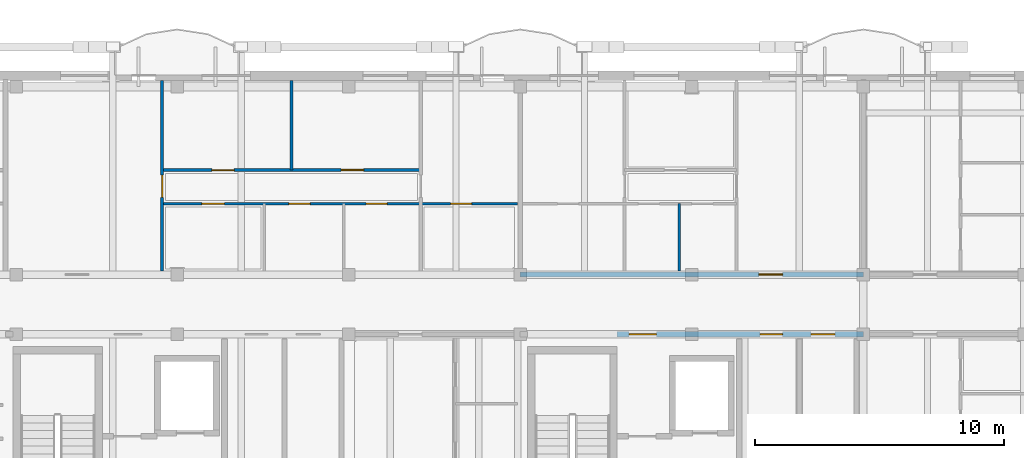
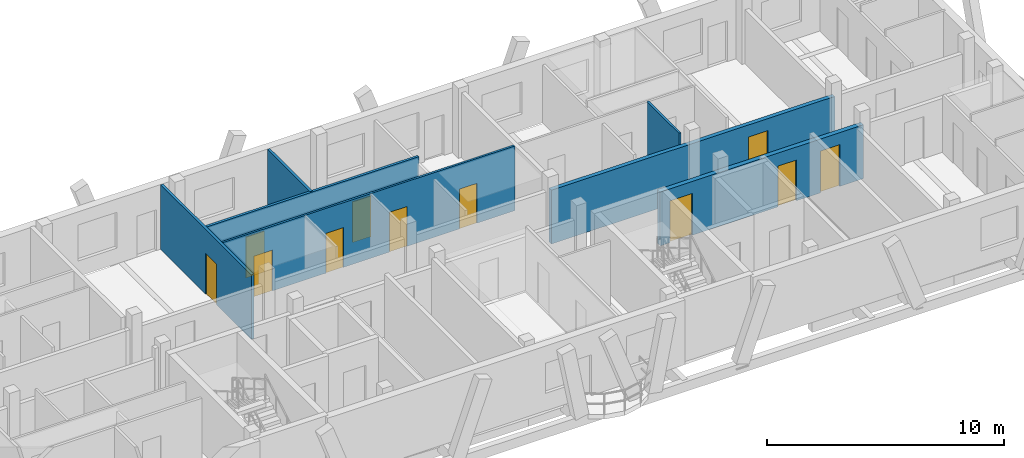
# One storey, part 165 of 189: 11 doors, 7 walls, 11 openings.
"""IFC4 building model written with IfcOpenShell, lengths in metres."""

from ifc_helpers import new_model, si_unit, direction, frame, frame_2d, origin, origin_with_axes, place, context, subcontext, project, spatial, rectangle, extrude, material, layer, layer_set, type_object, element, fill, save


model = new_model("IFC4")

# Units and contexts
model_context = context("Model", 3, precision=1e-05, world=origin(), true_north=direction((0.0, 1.0)))
body_context = subcontext(model_context, "Body", "Model", "MODEL_VIEW")
ifc_project = project(units=[si_unit("LENGTHUNIT", "METRE"), si_unit("AREAUNIT", "SQUARE_METRE"), si_unit("VOLUMEUNIT", "CUBIC_METRE"), si_unit("PLANEANGLEUNIT", "RADIAN"), si_unit("MASSUNIT", "GRAM", prefix="KILO")], contexts=[model_context])

# Site, building, storey
site_placement = place(None, origin())
site = spatial("IfcSite", under=ifc_project, at=site_placement, CompositionType="ELEMENT")
building_placement = place(site_placement, origin())
building = spatial("IfcBuilding", under=site, at=building_placement, Name="Zavelmont Quarter", CompositionType="ELEMENT")
storey_placement = place(building_placement, frame((0.0, 0.0, 4.39990234375)))
storey = spatial("IfcBuildingStorey", under=building, at=storey_placement, Name="L01", CompositionType="ELEMENT", Elevation=4.39990234375)

# Wall, opening, door
ifc_material_1 = material(Name="Calcium-silicate blockwork and acoustic plaster", Category="masonry")
ifc_layer_1 = layer(ifc_material_1, 0.199951171875)
ifc_layer_set_1 = layer_set([ifc_layer_1], Name="Calcium-silicate blockwork and acoustic plaster")
wall_type_1 = type_object("IfcWallType", Name="IW01", PredefinedType="PARTITIONING", material=ifc_layer_set_1)
wall_1_placement = place(storey_placement, frame((147.300048828125, 108.0, 0.0), z_axis=(0.0, 0.0, 1.0), x_axis=(1.0, 0.0, 0.0)))
wall_1 = element("IfcWall", 1, at=wall_1_placement, inside=storey, type_object=wall_type_1, Name="L01 Corridor compartment wall IW01", PredefinedType="PARTITIONING", context=body_context, shape_type="SweptSolid", body=[
    extrude(rectangle(XDim=13.800048828125, YDim=0.199951171875, at=frame_2d((6.89990234375, 0.0))), origin(), (0.0, 0.0, 1.0), 2.77001953125),
])
opening_1_placement = place(wall_1_placement, frame((9.60009765625, 0.0, 0.0)))
opening_1 = element("IfcOpeningElement", 2, at=opening_1_placement, cuts=wall_1, Name="Opening DR02", PredefinedType="OPENING", context=body_context, shape_type="SweptSolid", body=[
    extrude(rectangle(XDim=0.949951171875, YDim=2.14990234375, at=frame_2d((0.47509765625, 1.074951171875))), frame((0.0, 0.11181640625, 0.0), z_axis=(0.0, -1.0, 0.0), x_axis=(1.0, 0.0, 0.0)), (0.0, 0.0, 1.0), 0.223876953125),
])
ifc_material_2 = material(Name="Solid-core oak fire leaf in steel frame", Category="steel")
door_type_1 = type_object("IfcDoorType", Name="DR02", OperationType="NOTDEFINED", PredefinedType="DOOR", material=ifc_material_2)
door_1_placement = place(opening_1_placement, origin_with_axes())
door_1 = element("IfcDoor", 3, at=door_1_placement, inside=storey, type_object=door_type_1, Name="L01 door DR02", OperationType="SINGLE_SWING_RIGHT", OverallHeight=2.14990234375, OverallWidth=0.949951171875, PredefinedType="DOOR", context=body_context, shape_type="SweptSolid", body=[
    extrude(rectangle(XDim=0.949951171875, YDim=2.14990234375, at=frame_2d((0.47509765625, 1.074951171875))), frame((0.0, 0.02490234375, 0.0), z_axis=(0.0, -1.0, 0.0), x_axis=(1.0, 0.0, 0.0)), (0.0, 0.0, 1.0), 0.050048828125),
])
fill(opening_1, door_1)

# Wall, openings, doors
ifc_material_3 = material(Name="Reinforced masonry fire compartment wall", Category="masonry")
ifc_layer_2 = layer(ifc_material_3, 0.22509765625)
ifc_layer_set_2 = layer_set([ifc_layer_2], Name="Reinforced masonry fire compartment wall")
wall_type_2 = type_object("IfcWallType", Name="IW02", PredefinedType="PARTITIONING", material=ifc_layer_set_2)
wall_2_placement = place(storey_placement, frame((151.199951171875, 105.60009765625, 0.0), z_axis=(0.0, 0.0, 1.0), x_axis=(1.0, 0.0, 0.0)))
wall_2 = element("IfcWall", 4, at=wall_2_placement, inside=storey, type_object=wall_type_2, Name="L01 Core corridor fire wall IW02", PredefinedType="PARTITIONING", context=body_context, shape_type="SweptSolid", body=[
    extrude(rectangle(XDim=9.900146484375, YDim=0.22509765625, at=frame_2d((4.9501953125, 0.0))), origin(), (0.0, 0.0, 1.0), 2.77001953125),
])
opening_2_placement = place(wall_2_placement, frame((0.47509765625, 0.0, 0.0)))
opening_2 = element("IfcOpeningElement", 5, at=opening_2_placement, cuts=wall_2, Name="Opening DR10", PredefinedType="OPENING", context=body_context, shape_type="SweptSolid", body=[
    extrude(rectangle(XDim=1.10009765625, YDim=2.14990234375, at=frame_2d((0.550048828125, 1.074951171875))), frame((0.0, 0.12451171875, 0.0), z_axis=(0.0, -1.0, 0.0), x_axis=(1.0, 0.0, 0.0)), (0.0, 0.0, 1.0), 0.2490234375),
])
opening_3_placement = place(wall_2_placement, frame((5.75, 0.0, 0.0)))
opening_3 = element("IfcOpeningElement", 6, at=opening_3_placement, cuts=wall_2, Name="Opening DR11", PredefinedType="OPENING", context=body_context, shape_type="SweptSolid", body=[
    extrude(rectangle(XDim=0.89990234375, YDim=2.10009765625, at=frame_2d((0.449951171875, 1.050048828125))), frame((0.0, 0.12451171875, 0.0), z_axis=(0.0, -1.0, 0.0), x_axis=(1.0, 0.0, 0.0)), (0.0, 0.0, 1.0), 0.2490234375),
])
opening_4_placement = place(wall_2_placement, frame((7.800048828125, 0.0, 0.0)))
opening_4 = element("IfcOpeningElement", 7, at=opening_4_placement, cuts=wall_2, Name="Opening DR02", PredefinedType="OPENING", context=body_context, shape_type="SweptSolid", body=[
    extrude(rectangle(XDim=0.949951171875, YDim=2.14990234375, at=frame_2d((0.47509765625, 1.074951171875))), frame((0.0, 0.12451171875, 0.0), z_axis=(0.0, -1.0, 0.0), x_axis=(1.0, 0.0, 0.0)), (0.0, 0.0, 1.0), 0.2490234375),
])
door_2_placement = place(opening_4_placement, origin_with_axes())
door_2 = element("IfcDoor", 8, at=door_2_placement, inside=storey, type_object=door_type_1, Name="Auxiliary store corridor door", OperationType="SINGLE_SWING_RIGHT", OverallHeight=2.14990234375, OverallWidth=0.949951171875, PredefinedType="DOOR", context=body_context, shape_type="SweptSolid", body=[
    extrude(rectangle(XDim=0.949951171875, YDim=2.14990234375, at=frame_2d((0.47509765625, 1.074951171875))), frame((0.0, 0.02490234375, 0.0), z_axis=(0.0, -1.0, 0.0), x_axis=(1.0, 0.0, 0.0)), (0.0, 0.0, 1.0), 0.050048828125),
])
fill(opening_4, door_2)
ifc_material_4 = material(Name="Painted steel lobby fire door", Category="steel")
door_type_2 = type_object("IfcDoorType", Name="DR10", OperationType="NOTDEFINED", PredefinedType="DOOR", material=ifc_material_4)
door_3_placement = place(opening_2_placement, frame((1.10009765625, 0.0, 0.0), z_axis=(0.0, 0.0, 1.0), x_axis=(-1.0, 0.0, 0.0)))
door_3 = element("IfcDoor", 9, at=door_3_placement, inside=storey, type_object=door_type_2, Name="Core vestibule fire door", OperationType="SINGLE_SWING_LEFT", OverallHeight=2.14990234375, OverallWidth=1.10009765625, PredefinedType="DOOR", context=body_context, shape_type="SweptSolid", body=[
    extrude(rectangle(XDim=1.10009765625, YDim=2.14990234375, at=frame_2d((0.550048828125, 1.074951171875))), frame((0.0, 0.02490234375, 0.0), z_axis=(0.0, -1.0, 0.0), x_axis=(1.0, 0.0, 0.0)), (0.0, 0.0, 1.0), 0.050048828125),
])
fill(opening_2, door_3)
ifc_material_5 = material(Name="Painted steel service-riser fire door", Category="steel")
door_type_3 = type_object("IfcDoorType", Name="DR11", OperationType="NOTDEFINED", PredefinedType="DOOR", material=ifc_material_5)
door_4_placement = place(opening_3_placement, origin_with_axes())
door_4 = element("IfcDoor", 10, at=door_4_placement, inside=storey, type_object=door_type_3, Name="Service riser fire door", OperationType="SINGLE_SWING_LEFT", OverallHeight=2.10009765625, OverallWidth=0.89990234375, PredefinedType="DOOR", context=body_context, shape_type="SweptSolid", body=[
    extrude(rectangle(XDim=0.89990234375, YDim=2.10009765625, at=frame_2d((0.449951171875, 1.050048828125))), frame((0.0, 0.02490234375, 0.0), z_axis=(0.0, -1.0, 0.0), x_axis=(1.0, 0.0, 0.0)), (0.0, 0.0, 1.0), 0.050048828125),
])
fill(opening_3, door_4)

# Wall, opening, door
ifc_material_6 = material(Name="Double gypsum board on acoustic steel stud", Category="steel")
ifc_layer_3 = layer(ifc_material_6, 0.125)
ifc_layer_set_3 = layer_set([ifc_layer_3], Name="Double gypsum board on acoustic steel stud")
wall_type_3 = type_object("IfcWallType", Name="IW03", PredefinedType="PARTITIONING", material=ifc_layer_set_3)
wall_3_placement = place(storey_placement, frame((132.89990234375, 108.14990234375, 0.0), z_axis=(0.0, 0.0, 1.0), x_axis=(0.0, 1.0, 0.0)))
wall_3 = element("IfcWall", 11, at=wall_3_placement, inside=storey, type_object=wall_type_3, Name="L01 Partition IW03", PredefinedType="PARTITIONING", context=body_context, shape_type="SweptSolid", body=[
    extrude(rectangle(XDim=7.650146484375, YDim=0.125, at=frame_2d((3.8251953125, 0.0))), origin(), (0.0, 0.0, 1.0), 3.330078125),
])
opening_5_placement = place(wall_3_placement, frame((2.949951171875, 0.0, 0.0)))
opening_5 = element("IfcOpeningElement", 12, at=opening_5_placement, cuts=wall_3, Name="Opening DR05", PredefinedType="OPENING", context=body_context, shape_type="SweptSolid", body=[
    extrude(rectangle(XDim=0.89990234375, YDim=2.10009765625, at=frame_2d((0.449951171875, 1.050048828125))), frame((0.0, 0.074462890625, 0.0), z_axis=(0.0, -1.0, 0.0), x_axis=(1.0, 0.0, 0.0)), (0.0, 0.0, 1.0), 0.14892578125),
])
ifc_material_7 = material(Name="Engineered oak flush interior door")
door_type_4 = type_object("IfcDoorType", Name="DR05", OperationType="NOTDEFINED", PredefinedType="DOOR", material=ifc_material_7)
door_5_placement = place(opening_5_placement, origin_with_axes())
door_5 = element("IfcDoor", 13, at=door_5_placement, inside=storey, type_object=door_type_4, Name="L01 door DR05", OperationType="SINGLE_SWING_RIGHT", OverallHeight=2.10009765625, OverallWidth=0.89990234375, PredefinedType="DOOR", context=body_context, shape_type="SweptSolid", body=[
    extrude(rectangle(XDim=0.89990234375, YDim=2.10009765625, at=frame_2d((0.449951171875, 1.050048828125))), frame((0.0, 0.02490234375, 0.0), z_axis=(0.0, -1.0, 0.0), x_axis=(1.0, 0.0, 0.0)), (0.0, 0.0, 1.0), 0.050048828125),
])
fill(opening_5, door_5)

# Wall
wall_4_placement = place(storey_placement, frame((138.10009765625, 112.199951171875, 0.0), z_axis=(0.0, 0.0, 1.0), x_axis=(0.0, 1.0, 0.0)))
element("IfcWall", 14, at=wall_4_placement, inside=storey, type_object=wall_type_3, Name="L01 Partition IW03", PredefinedType="PARTITIONING", context=body_context, shape_type="SweptSolid", body=[
    extrude(rectangle(XDim=3.60009765625, YDim=0.125, at=frame_2d((1.800048828125, 0.0))), origin(), (0.0, 0.0, 1.0), 3.330078125),
])

# Wall, openings, doors
wall_5_placement = place(storey_placement, frame((132.89990234375, 112.199951171875, 0.0), z_axis=(0.0, 0.0, 1.0), x_axis=(1.0, 0.0, 0.0)))
wall_5 = element("IfcWall", 15, at=wall_5_placement, inside=storey, type_object=wall_type_3, Name="L01 Partition IW03", PredefinedType="PARTITIONING", context=body_context, shape_type="SweptSolid", body=[
    extrude(rectangle(XDim=10.400146484375, YDim=0.125, at=frame_2d((5.2001953125, 0.0))), origin(), (0.0, 0.0, 1.0), 3.330078125),
])
opening_6_placement = place(wall_5_placement, frame((2.0, 0.0, 0.0)))
opening_6 = element("IfcOpeningElement", 16, at=opening_6_placement, cuts=wall_5, Name="Opening DR05", PredefinedType="OPENING", context=body_context, shape_type="SweptSolid", body=[
    extrude(rectangle(XDim=0.89990234375, YDim=2.10009765625, at=frame_2d((0.449951171875, 1.050048828125))), frame((0.0, 0.074462890625, 0.0), z_axis=(0.0, -1.0, 0.0), x_axis=(1.0, 0.0, 0.0)), (0.0, 0.0, 1.0), 0.14892578125),
])
opening_7_placement = place(wall_5_placement, frame((7.199951171875, 0.0, 0.0)))
opening_7 = element("IfcOpeningElement", 17, at=opening_7_placement, cuts=wall_5, Name="Opening DR05", PredefinedType="OPENING", context=body_context, shape_type="SweptSolid", body=[
    extrude(rectangle(XDim=0.89990234375, YDim=2.10009765625, at=frame_2d((0.449951171875, 1.050048828125))), frame((0.0, 0.074462890625, 0.0), z_axis=(0.0, -1.0, 0.0), x_axis=(1.0, 0.0, 0.0)), (0.0, 0.0, 1.0), 0.14892578125),
])
door_6_placement = place(opening_6_placement, origin_with_axes())
door_6 = element("IfcDoor", 18, at=door_6_placement, inside=storey, type_object=door_type_4, Name="L01 door DR05", OperationType="SINGLE_SWING_RIGHT", OverallHeight=2.10009765625, OverallWidth=0.89990234375, PredefinedType="DOOR", context=body_context, shape_type="SweptSolid", body=[
    extrude(rectangle(XDim=0.89990234375, YDim=2.10009765625, at=frame_2d((0.449951171875, 1.050048828125))), frame((0.0, 0.02490234375, 0.0), z_axis=(0.0, -1.0, 0.0), x_axis=(1.0, 0.0, 0.0)), (0.0, 0.0, 1.0), 0.050048828125),
])
fill(opening_6, door_6)
door_7_placement = place(opening_7_placement, frame((0.89990234375, 0.0, 0.0), z_axis=(0.0, 0.0, 1.0), x_axis=(-1.0, 0.0, 0.0)))
door_7 = element("IfcDoor", 19, at=door_7_placement, inside=storey, type_object=door_type_4, Name="L01 door DR05", OperationType="SINGLE_SWING_LEFT", OverallHeight=2.10009765625, OverallWidth=0.89990234375, PredefinedType="DOOR", context=body_context, shape_type="SweptSolid", body=[
    extrude(rectangle(XDim=0.89990234375, YDim=2.10009765625, at=frame_2d((0.449951171875, 1.050048828125))), frame((0.0, 0.02490234375, 0.0), z_axis=(0.0, -1.0, 0.0), x_axis=(1.0, 0.0, 0.0)), (0.0, 0.0, 1.0), 0.050048828125),
])
fill(opening_7, door_7)

ifc_material_8 = material(Name="Moisture-resistant gypsum board on steel stud", Category="steel")
ifc_layer_4 = layer(ifc_material_8, 0.10009765625)
ifc_layer_set_4 = layer_set([ifc_layer_4], Name="Moisture-resistant gypsum board on steel stud")
wall_type_4 = type_object("IfcWallType", Name="IW04", PredefinedType="PARTITIONING", material=ifc_layer_set_4)
wall_6_placement = place(storey_placement, frame((132.89990234375, 110.85009765625, 0.0), z_axis=(0.0, 0.0, 1.0), x_axis=(1.0, 0.0, 0.0)))
wall_6 = element("IfcWall", 20, at=wall_6_placement, inside=storey, type_object=wall_type_4, Name="L01 Partition IW04", PredefinedType="PARTITIONING", context=body_context, shape_type="SweptSolid", body=[
    extrude(rectangle(XDim=14.300048828125, YDim=0.10009765625, at=frame_2d((7.14990234375, 0.0))), origin(), (0.0, 0.0, 1.0), 3.330078125),
])
opening_8_placement = place(wall_6_placement, frame((1.60009765625, 0.0, 0.0)))
opening_8 = element("IfcOpeningElement", 21, at=opening_8_placement, cuts=wall_6, Name="Opening DR05", PredefinedType="OPENING", context=body_context, shape_type="SweptSolid", body=[
    extrude(rectangle(XDim=0.89990234375, YDim=2.10009765625, at=frame_2d((0.449951171875, 1.050048828125))), frame((0.0, 0.06201171875, 0.0), z_axis=(0.0, -1.0, 0.0), x_axis=(1.0, 0.0, 0.0)), (0.0, 0.0, 1.0), 0.1240234375),
])
opening_9_placement = place(wall_6_placement, frame((5.10009765625, 0.0, 0.0)))
opening_9 = element("IfcOpeningElement", 22, at=opening_9_placement, cuts=wall_6, Name="Opening DR06", PredefinedType="OPENING", context=body_context, shape_type="SweptSolid", body=[
    extrude(rectangle(XDim=0.85009765625, YDim=2.050048828125, at=frame_2d((0.425048828125, 1.02490234375))), frame((0.0, 0.06201171875, 0.0), z_axis=(0.0, -1.0, 0.0), x_axis=(1.0, 0.0, 0.0)), (0.0, 0.0, 1.0), 0.1240234375),
])
opening_10_placement = place(wall_6_placement, frame((8.199951171875, 0.0, 0.0)))
opening_10 = element("IfcOpeningElement", 23, at=opening_10_placement, cuts=wall_6, Name="Opening DR06", PredefinedType="OPENING", context=body_context, shape_type="SweptSolid", body=[
    extrude(rectangle(XDim=0.85009765625, YDim=2.050048828125, at=frame_2d((0.425048828125, 1.02490234375))), frame((0.0, 0.06201171875, 0.0), z_axis=(0.0, -1.0, 0.0), x_axis=(1.0, 0.0, 0.0)), (0.0, 0.0, 1.0), 0.1240234375),
])
opening_11_placement = place(wall_6_placement, frame((11.60009765625, 0.0, 0.0)))
opening_11 = element("IfcOpeningElement", 24, at=opening_11_placement, cuts=wall_6, Name="Opening DR06", PredefinedType="OPENING", context=body_context, shape_type="SweptSolid", body=[
    extrude(rectangle(XDim=0.85009765625, YDim=2.050048828125, at=frame_2d((0.425048828125, 1.02490234375))), frame((0.0, 0.06201171875, 0.0), z_axis=(0.0, -1.0, 0.0), x_axis=(1.0, 0.0, 0.0)), (0.0, 0.0, 1.0), 0.1240234375),
])
door_8_placement = place(opening_8_placement, origin_with_axes())
door_8 = element("IfcDoor", 25, at=door_8_placement, inside=storey, type_object=door_type_4, Name="L01 door DR05", OperationType="SINGLE_SWING_RIGHT", OverallHeight=2.10009765625, OverallWidth=0.89990234375, PredefinedType="DOOR", context=body_context, shape_type="SweptSolid", body=[
    extrude(rectangle(XDim=0.89990234375, YDim=2.10009765625, at=frame_2d((0.449951171875, 1.050048828125))), frame((0.0, 0.02490234375, 0.0), z_axis=(0.0, -1.0, 0.0), x_axis=(1.0, 0.0, 0.0)), (0.0, 0.0, 1.0), 0.050048828125),
])
fill(opening_8, door_8)
ifc_material_9 = material(Name="Moisture-resistant painted wet-room door")
door_type_5 = type_object("IfcDoorType", Name="DR06", OperationType="NOTDEFINED", PredefinedType="DOOR", material=ifc_material_9)
door_9_placement = place(opening_9_placement, frame((0.85009765625, 0.0, 0.0), z_axis=(0.0, 0.0, 1.0), x_axis=(-1.0, 0.0, 0.0)))
door_9 = element("IfcDoor", 26, at=door_9_placement, inside=storey, type_object=door_type_5, Name="L01 door DR06", OperationType="SINGLE_SWING_LEFT", OverallHeight=2.050048828125, OverallWidth=0.85009765625, PredefinedType="DOOR", context=body_context, shape_type="SweptSolid", body=[
    extrude(rectangle(XDim=0.85009765625, YDim=2.050048828125, at=frame_2d((0.425048828125, 1.02490234375))), frame((0.0, 0.02490234375, 0.0), z_axis=(0.0, -1.0, 0.0), x_axis=(1.0, 0.0, 0.0)), (0.0, 0.0, 1.0), 0.050048828125),
])
fill(opening_9, door_9)
door_10_placement = place(opening_10_placement, origin_with_axes())
door_10 = element("IfcDoor", 27, at=door_10_placement, inside=storey, type_object=door_type_5, Name="L01 door DR06", OperationType="SINGLE_SWING_RIGHT", OverallHeight=2.050048828125, OverallWidth=0.85009765625, PredefinedType="DOOR", context=body_context, shape_type="SweptSolid", body=[
    extrude(rectangle(XDim=0.85009765625, YDim=2.050048828125, at=frame_2d((0.425048828125, 1.02490234375))), frame((0.0, 0.02490234375, 0.0), z_axis=(0.0, -1.0, 0.0), x_axis=(1.0, 0.0, 0.0)), (0.0, 0.0, 1.0), 0.050048828125),
])
fill(opening_10, door_10)
door_11_placement = place(opening_11_placement, frame((0.85009765625, 0.0, 0.0), z_axis=(0.0, 0.0, 1.0), x_axis=(-1.0, 0.0, 0.0)))
door_11 = element("IfcDoor", 28, at=door_11_placement, inside=storey, type_object=door_type_5, Name="L01 door DR06", OperationType="SINGLE_SWING_LEFT", OverallHeight=2.050048828125, OverallWidth=0.85009765625, PredefinedType="DOOR", context=body_context, shape_type="SweptSolid", body=[
    extrude(rectangle(XDim=0.85009765625, YDim=2.050048828125, at=frame_2d((0.425048828125, 1.02490234375))), frame((0.0, 0.02490234375, 0.0), z_axis=(0.0, -1.0, 0.0), x_axis=(1.0, 0.0, 0.0)), (0.0, 0.0, 1.0), 0.050048828125),
])
fill(opening_11, door_11)

# Wall
wall_7_placement = place(storey_placement, frame((153.699951171875, 108.14990234375, 0.0), z_axis=(0.0, 0.0, 1.0), x_axis=(0.0, 1.0, 0.0)))
element("IfcWall", 29, at=wall_7_placement, inside=storey, type_object=wall_type_4, Name="L01 Partition IW04", PredefinedType="PARTITIONING", context=body_context, shape_type="SweptSolid", body=[
    extrude(rectangle(XDim=2.7001953125, YDim=0.10009765625, at=frame_2d((1.35009765625, 0.0))), origin(), (0.0, 0.0, 1.0), 3.330078125),
])

save(model, "model.ifc")
